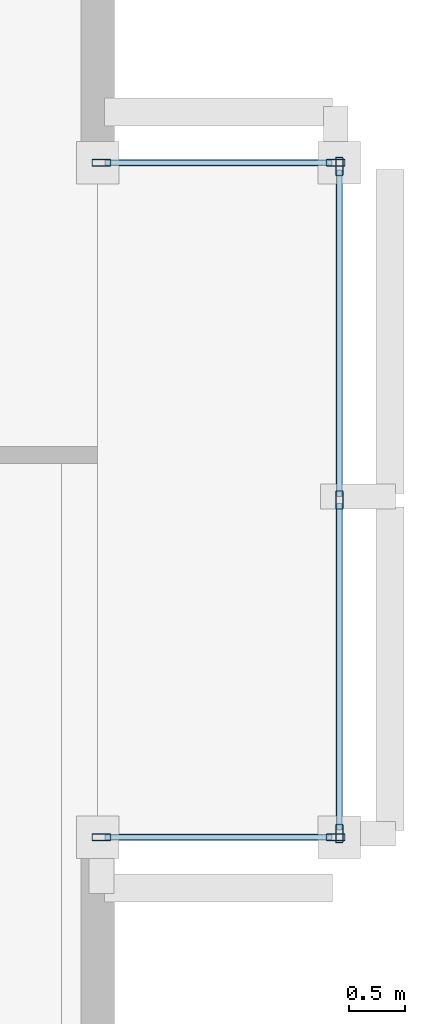
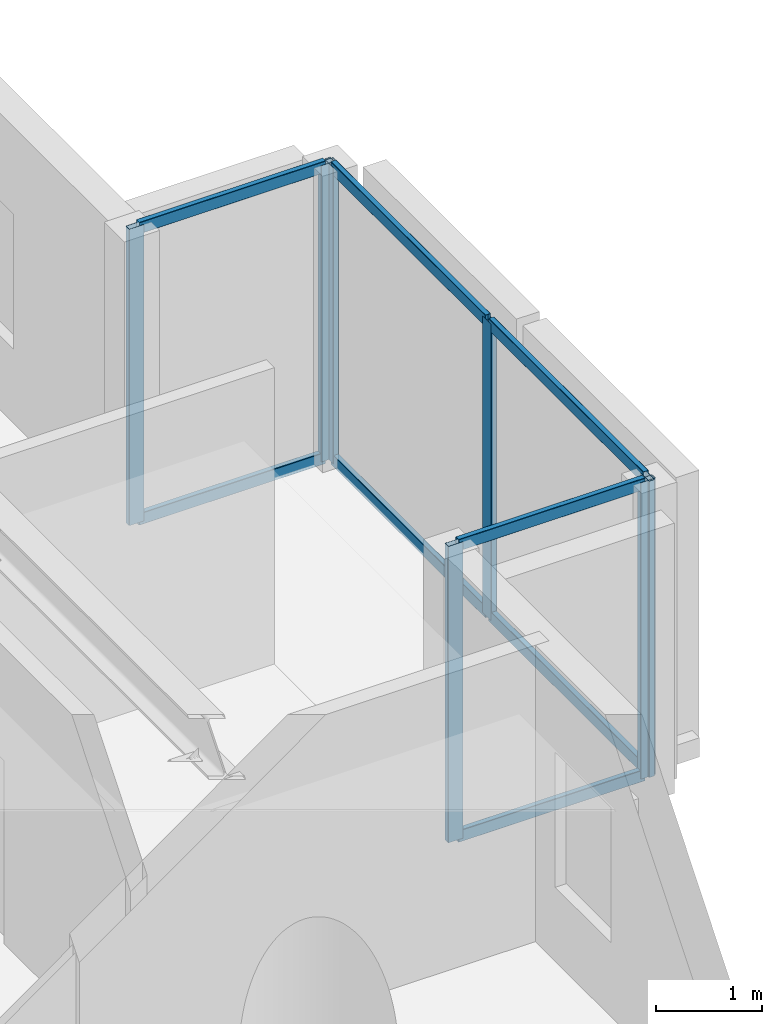
# One storey, part 6 of 16: 15 members, 3 elements without a shape of their own.
"""IFC4 building model written with IfcOpenShell, lengths in metres."""

from ifc_helpers import new_model, si_unit, direction, frame, origin, origin_2d, place, context, subcontext, project, spatial, hollow_rectangle, extrude, material, layer, layer_set, material_profile, profile_set, type_object, element, aggregate, save


model = new_model("IFC4")

# Units and contexts
model_context = context("Model", 3, precision=1e-05, world=origin(), true_north=direction((0.0, 1.0)))
body_context = subcontext(model_context, "Body", "Model", "MODEL_VIEW")
ifc_project = project(units=[si_unit("LENGTHUNIT", "METRE"), si_unit("AREAUNIT", "SQUARE_METRE"), si_unit("VOLUMEUNIT", "CUBIC_METRE"), si_unit("PLANEANGLEUNIT", "RADIAN"), si_unit("MASSUNIT", "GRAM", prefix="KILO")], contexts=[model_context])

# Site, building, storey
site_placement = place(None, origin())
site = spatial("IfcSite", under=ifc_project, at=site_placement, CompositionType="ELEMENT")
building_placement = place(site_placement, origin())
building = spatial("IfcBuilding", under=site, at=building_placement, Name="An Khanh Terracotta Commons", CompositionType="ELEMENT")
storey_placement = place(building_placement, frame((0.0, 0.0, 57.60009765625)))
storey = spatial("IfcBuildingStorey", under=building, at=storey_placement, Name="L15", CompositionType="ELEMENT", Elevation=57.60009765625)

# Curtain wall, members
ifc_material = material(Name="Anodised Aluminium 6063-T6", Category="aluminium")
ifc_layer = layer(ifc_material, 0.239990234375, Name="Anodised Aluminium 6063-T6")
ifc_layer_set = layer_set([ifc_layer], Name="Anodised Aluminium 6063-T6")
curtain_wall_type = type_object("IfcCurtainWallType", Name="CW-SYS-04", PredefinedType="USERDEFINED", material=ifc_layer_set)
curtain_wall_1_placement = place(storey_placement, origin())
curtain_wall_1 = element("IfcCurtainWall", 1, at=curtain_wall_1_placement, inside=storey, type_object=curtain_wall_type, Name="L15 CW-04 Unitised Curtain Wall CW-L15-EBOX-1", ObjectType="UNITISED CURTAIN WALL", PredefinedType="USERDEFINED")
ifc_material_profile_1 = material_profile(ifc_material, hollow_rectangle(XDim=0.06494140625, YDim=0.1650390625, WallThickness=0.00390625, InnerFilletRadius=0.00390625, OuterFilletRadius=0.008056640625, at=origin_2d()), Name="RHS165x65x4")
ifc_profile_set_1 = profile_set([ifc_material_profile_1], Name="Anodised Aluminium 6063-T6")
member_type_1 = type_object("IfcMemberType", Name="CWM-RHS165x65x4", PredefinedType="MULLION", material=ifc_profile_set_1)
member_1_placement = place(storey_placement, frame((53.75, 19.4326171875, 0.0), z_axis=(0.0, 0.0, 1.0), x_axis=(-1.0, 0.0, 0.0)))
member_1 = element("IfcMember", 2, at=member_1_placement, type_object=member_type_1, Name="CW-04 mullion 1", PredefinedType="MULLION", context=body_context, shape_type="SweptSolid", body=[
    extrude(hollow_rectangle(XDim=0.06494140625, YDim=0.1650390625, WallThickness=0.00390625, InnerFilletRadius=0.00390625, OuterFilletRadius=0.008056640625, at=origin_2d()), origin(), (0.0, 0.0, 1.0), 3.39990234375),
])
member_2_placement = place(storey_placement, frame((53.75, 22.39990234375, 0.0), z_axis=(0.0, 0.0, 1.0), x_axis=(-1.0, 0.0, 0.0)))
member_2 = element("IfcMember", 3, at=member_2_placement, type_object=member_type_1, Name="CW-04 mullion 2", PredefinedType="MULLION", context=body_context, shape_type="SweptSolid", body=[
    extrude(hollow_rectangle(XDim=0.06494140625, YDim=0.1650390625, WallThickness=0.00390625, InnerFilletRadius=0.00390625, OuterFilletRadius=0.008056640625, at=origin_2d()), origin(), (0.0, 0.0, 1.0), 3.39990234375),
])
member_3_placement = place(storey_placement, frame((53.75, 25.367431640625, 0.0), z_axis=(0.0, 0.0, 1.0), x_axis=(-1.0, 0.0, 0.0)))
member_3 = element("IfcMember", 4, at=member_3_placement, type_object=member_type_1, Name="CW-04 mullion 3", PredefinedType="MULLION", context=body_context, shape_type="SweptSolid", body=[
    extrude(hollow_rectangle(XDim=0.06494140625, YDim=0.1650390625, WallThickness=0.00390625, InnerFilletRadius=0.00390625, OuterFilletRadius=0.008056640625, at=origin_2d()), origin(), (0.0, 0.0, 1.0), 3.39990234375),
])

curtain_wall_2_placement = place(storey_placement, origin())
curtain_wall_2 = element("IfcCurtainWall", 5, at=curtain_wall_2_placement, inside=storey, type_object=curtain_wall_type, Name="L15 CW-04 Unitised Curtain Wall CW-L15-EBOX-2", ObjectType="UNITISED CURTAIN WALL", PredefinedType="USERDEFINED")
member_4_placement = place(storey_placement, frame((51.632568359375, 19.39990234375, 0.0), z_axis=(0.0, 0.0, 1.0), x_axis=(0.0, 1.0, 0.0)))
member_4 = element("IfcMember", 6, at=member_4_placement, type_object=member_type_1, Name="CW-04 mullion 1", PredefinedType="MULLION", context=body_context, shape_type="SweptSolid", body=[
    extrude(hollow_rectangle(XDim=0.06494140625, YDim=0.1650390625, WallThickness=0.00390625, InnerFilletRadius=0.00390625, OuterFilletRadius=0.008056640625, at=origin_2d()), origin(), (0.0, 0.0, 1.0), 3.39990234375),
])
member_5_placement = place(storey_placement, frame((53.717529296875, 19.39990234375, 0.0), z_axis=(0.0, 0.0, 1.0), x_axis=(0.0, 1.0, 0.0)))
member_5 = element("IfcMember", 7, at=member_5_placement, type_object=member_type_1, Name="CW-04 mullion 2", PredefinedType="MULLION", context=body_context, shape_type="SweptSolid", body=[
    extrude(hollow_rectangle(XDim=0.06494140625, YDim=0.1650390625, WallThickness=0.00390625, InnerFilletRadius=0.00390625, OuterFilletRadius=0.008056640625, at=origin_2d()), origin(), (0.0, 0.0, 1.0), 3.39990234375),
])

curtain_wall_3_placement = place(storey_placement, origin())
curtain_wall_3 = element("IfcCurtainWall", 8, at=curtain_wall_3_placement, inside=storey, type_object=curtain_wall_type, Name="L15 CW-04 Unitised Curtain Wall CW-L15-EBOX-3", ObjectType="UNITISED CURTAIN WALL", PredefinedType="USERDEFINED")
member_6_placement = place(storey_placement, frame((53.717529296875, 25.39990234375, 0.0), z_axis=(0.0, 0.0, 1.0), x_axis=(0.0, -1.0, 0.0)))
member_6 = element("IfcMember", 9, at=member_6_placement, type_object=member_type_1, Name="CW-04 mullion 1", PredefinedType="MULLION", context=body_context, shape_type="SweptSolid", body=[
    extrude(hollow_rectangle(XDim=0.06494140625, YDim=0.1650390625, WallThickness=0.00390625, InnerFilletRadius=0.00390625, OuterFilletRadius=0.008056640625, at=origin_2d()), origin(), (0.0, 0.0, 1.0), 3.39990234375),
])
member_7_placement = place(storey_placement, frame((51.632568359375, 25.39990234375, 0.0), z_axis=(0.0, 0.0, 1.0), x_axis=(0.0, -1.0, 0.0)))
member_7 = element("IfcMember", 10, at=member_7_placement, type_object=member_type_1, Name="CW-04 mullion 2", PredefinedType="MULLION", context=body_context, shape_type="SweptSolid", body=[
    extrude(hollow_rectangle(XDim=0.06494140625, YDim=0.1650390625, WallThickness=0.00390625, InnerFilletRadius=0.00390625, OuterFilletRadius=0.008056640625, at=origin_2d()), origin(), (0.0, 0.0, 1.0), 3.39990234375),
])

# Member
ifc_material_profile_2 = material_profile(ifc_material, hollow_rectangle(XDim=0.06005859375, YDim=0.135009765625, WallThickness=0.003662109375, InnerFilletRadius=0.003662109375, OuterFilletRadius=0.007080078125, at=origin_2d()), Name="RHS135x60x3.6")
ifc_profile_set_2 = profile_set([ifc_material_profile_2], Name="Anodised Aluminium 6063-T6")
member_type_2 = type_object("IfcMemberType", Name="CWT-RHS135x60x3.6", PredefinedType="USERDEFINED", material=ifc_profile_set_2)
member_8_placement = place(storey_placement, frame((53.75, 19.465087890625, 0.02978515625), z_axis=(0.0, 1.0, 0.0), x_axis=(-1.0, 0.0, 0.0)))
member_8 = element("IfcMember", 11, at=member_8_placement, type_object=member_type_2, Name="CW-04 transom 1.1", ObjectType="TRANSOM", PredefinedType="USERDEFINED", context=body_context, shape_type="SweptSolid", body=[
    extrude(hollow_rectangle(XDim=0.06005859375, YDim=0.135009765625, WallThickness=0.003662109375, InnerFilletRadius=0.003662109375, OuterFilletRadius=0.007080078125, at=origin_2d()), origin(), (0.0, 0.0, 1.0), 2.90234375),
])

member_9_placement = place(storey_placement, frame((53.75, 19.465087890625, 3.369873046875), z_axis=(0.0, 1.0, 0.0), x_axis=(-1.0, 0.0, 0.0)))
member_9 = element("IfcMember", 12, at=member_9_placement, type_object=member_type_2, Name="CW-04 transom 1.2", ObjectType="TRANSOM", PredefinedType="USERDEFINED", context=body_context, shape_type="SweptSolid", body=[
    extrude(hollow_rectangle(XDim=0.06005859375, YDim=0.135009765625, WallThickness=0.003662109375, InnerFilletRadius=0.003662109375, OuterFilletRadius=0.007080078125, at=origin_2d()), origin(), (0.0, 0.0, 1.0), 2.90234375),
])

member_10_placement = place(storey_placement, frame((53.75, 22.4326171875, 0.02978515625), z_axis=(0.0, 1.0, 0.0), x_axis=(-1.0, 0.0, 0.0)))
member_10 = element("IfcMember", 13, at=member_10_placement, type_object=member_type_2, Name="CW-04 transom 2.1", ObjectType="TRANSOM", PredefinedType="USERDEFINED", context=body_context, shape_type="SweptSolid", body=[
    extrude(hollow_rectangle(XDim=0.06005859375, YDim=0.135009765625, WallThickness=0.003662109375, InnerFilletRadius=0.003662109375, OuterFilletRadius=0.007080078125, at=origin_2d()), origin(), (0.0, 0.0, 1.0), 2.90234375),
])

member_11_placement = place(storey_placement, frame((53.75, 22.4326171875, 3.369873046875), z_axis=(0.0, 1.0, 0.0), x_axis=(-1.0, 0.0, 0.0)))
member_11 = element("IfcMember", 14, at=member_11_placement, type_object=member_type_2, Name="CW-04 transom 2.2", ObjectType="TRANSOM", PredefinedType="USERDEFINED", context=body_context, shape_type="SweptSolid", body=[
    extrude(hollow_rectangle(XDim=0.06005859375, YDim=0.135009765625, WallThickness=0.003662109375, InnerFilletRadius=0.003662109375, OuterFilletRadius=0.007080078125, at=origin_2d()), origin(), (0.0, 0.0, 1.0), 2.90234375),
])

aggregate(curtain_wall_1, [member_1, member_2, member_3, member_8, member_9, member_10, member_11])

member_12_placement = place(storey_placement, frame((51.6650390625, 19.39990234375, 0.02978515625), z_axis=(1.0, 0.0, 0.0), x_axis=(0.0, 1.0, 0.0)))
member_12 = element("IfcMember", 15, at=member_12_placement, type_object=member_type_2, Name="CW-04 transom 1.1", ObjectType="TRANSOM", PredefinedType="USERDEFINED", context=body_context, shape_type="SweptSolid", body=[
    extrude(hollow_rectangle(XDim=0.06005859375, YDim=0.135009765625, WallThickness=0.003662109375, InnerFilletRadius=0.003662109375, OuterFilletRadius=0.007080078125, at=origin_2d()), origin(), (0.0, 0.0, 1.0), 2.02001953125),
])

member_13_placement = place(storey_placement, frame((51.6650390625, 19.39990234375, 3.369873046875), z_axis=(1.0, 0.0, 0.0), x_axis=(0.0, 1.0, 0.0)))
member_13 = element("IfcMember", 16, at=member_13_placement, type_object=member_type_2, Name="CW-04 transom 1.2", ObjectType="TRANSOM", PredefinedType="USERDEFINED", context=body_context, shape_type="SweptSolid", body=[
    extrude(hollow_rectangle(XDim=0.06005859375, YDim=0.135009765625, WallThickness=0.003662109375, InnerFilletRadius=0.003662109375, OuterFilletRadius=0.007080078125, at=origin_2d()), origin(), (0.0, 0.0, 1.0), 2.02001953125),
])

aggregate(curtain_wall_2, [member_4, member_5, member_12, member_13])

member_14_placement = place(storey_placement, frame((53.68505859375, 25.39990234375, 0.02978515625), z_axis=(-1.0, 0.0, 0.0), x_axis=(0.0, -1.0, 0.0)))
member_14 = element("IfcMember", 17, at=member_14_placement, type_object=member_type_2, Name="CW-04 transom 1.1", ObjectType="TRANSOM", PredefinedType="USERDEFINED", context=body_context, shape_type="SweptSolid", body=[
    extrude(hollow_rectangle(XDim=0.06005859375, YDim=0.135009765625, WallThickness=0.003662109375, InnerFilletRadius=0.003662109375, OuterFilletRadius=0.007080078125, at=origin_2d()), origin(), (0.0, 0.0, 1.0), 2.02001953125),
])

member_15_placement = place(storey_placement, frame((53.68505859375, 25.39990234375, 3.369873046875), z_axis=(-1.0, 0.0, 0.0), x_axis=(0.0, -1.0, 0.0)))
member_15 = element("IfcMember", 18, at=member_15_placement, type_object=member_type_2, Name="CW-04 transom 1.2", ObjectType="TRANSOM", PredefinedType="USERDEFINED", context=body_context, shape_type="SweptSolid", body=[
    extrude(hollow_rectangle(XDim=0.06005859375, YDim=0.135009765625, WallThickness=0.003662109375, InnerFilletRadius=0.003662109375, OuterFilletRadius=0.007080078125, at=origin_2d()), origin(), (0.0, 0.0, 1.0), 2.02001953125),
])

aggregate(curtain_wall_3, [member_6, member_7, member_14, member_15])

save(model, "model.ifc")
